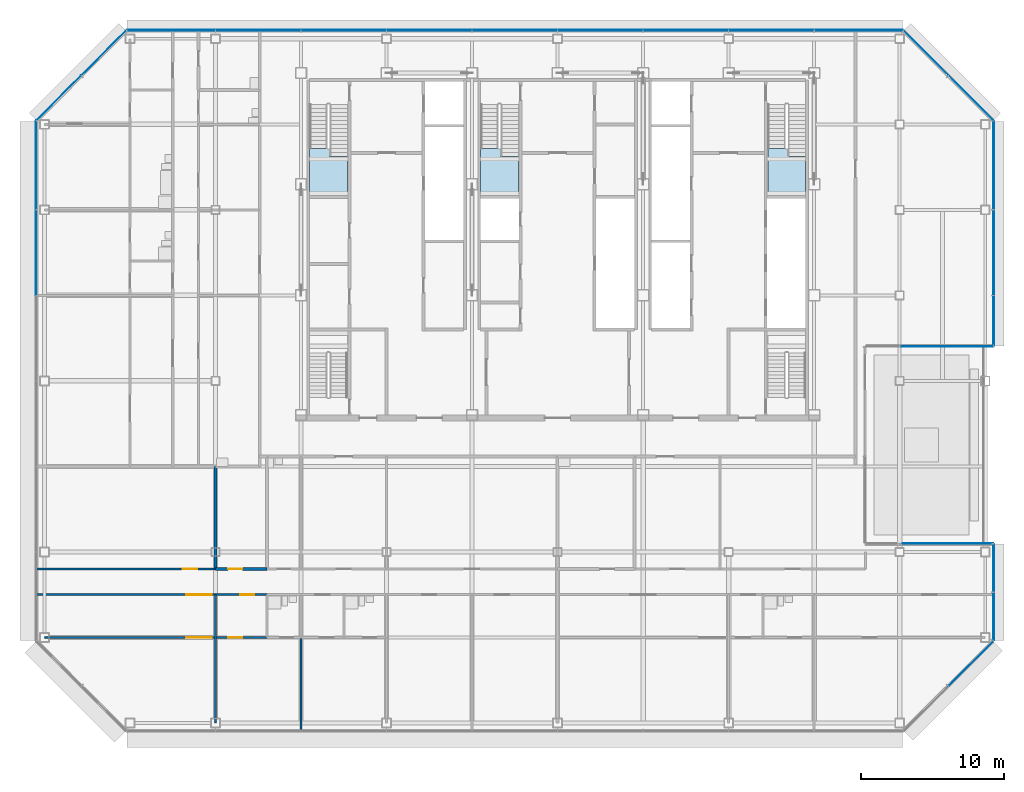
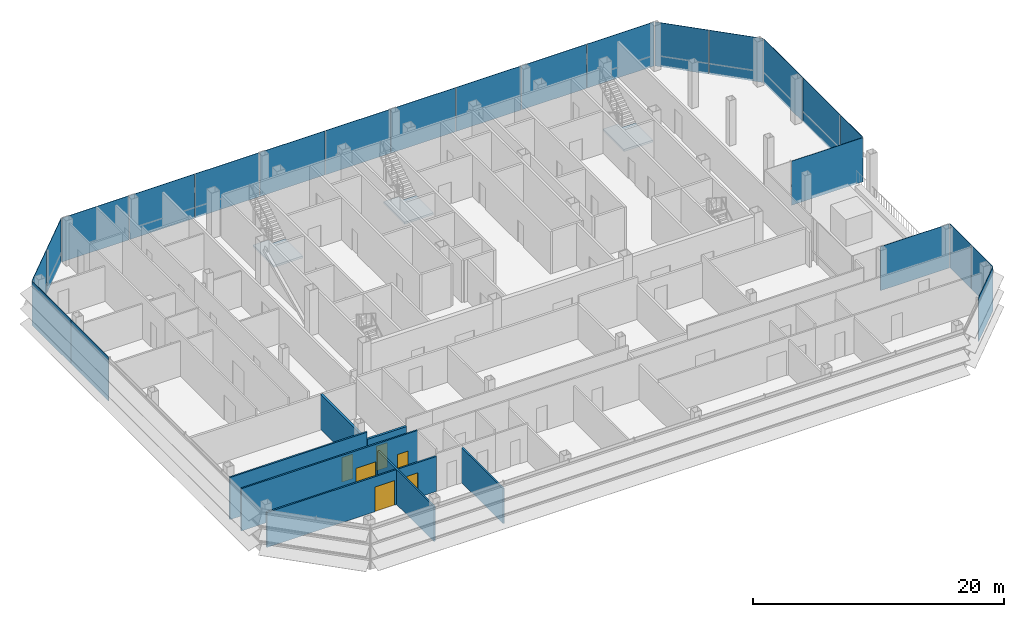
# One storey, part 21 of 30: 23 plates, 7 walls, 6 doors, 3 slabs, 6 openings, 12 elements without a shape of their own.
"""IFC4 building model written with IfcOpenShell, lengths in metres."""

from ifc_helpers import new_model, si_unit, direction, frame, frame_2d, origin, origin_2d, place, context, subcontext, project, spatial, polyline, rectangle, outline, extrude, material, layer, layer_set, type_object, element, fill, aggregate, save


model = new_model("IFC4")

# Units and contexts
model_context = context("Model", 3, precision=1e-05, world=origin(), true_north=direction((0.0, 1.0)))
body_context = subcontext(model_context, "Body", "Model", "MODEL_VIEW")
ifc_project = project(units=[si_unit("LENGTHUNIT", "METRE"), si_unit("AREAUNIT", "SQUARE_METRE"), si_unit("VOLUMEUNIT", "CUBIC_METRE"), si_unit("PLANEANGLEUNIT", "RADIAN"), si_unit("MASSUNIT", "GRAM", prefix="KILO")], contexts=[model_context])

# Site, building, storey
site_placement = place(None, origin())
site = spatial("IfcSite", under=ifc_project, at=site_placement, CompositionType="ELEMENT")
building_placement = place(site_placement, origin())
building = spatial("IfcBuilding", under=site, at=building_placement, Name="Sorahane Residences", CompositionType="ELEMENT")
storey_placement = place(building_placement, frame((0.0, 0.0, 229.800048828125)))
storey = spatial("IfcBuildingStorey", under=building, at=storey_placement, Name="L54", CompositionType="ELEMENT", Elevation=229.800048828125)

# Curtain wall, plates
ifc_material_1 = material(Name="Dark low-e glass and black anodised aluminium", Category="aluminium")
curtain_wall_type_1 = type_object("IfcCurtainWallType", Name="Curtain wall CW-1 Typical unitised wall", PredefinedType="NOTDEFINED", material=ifc_material_1)
curtain_wall_1_placement = place(storey_placement, origin())
curtain_wall_1 = element("IfcCurtainWall", 1, at=curtain_wall_1_placement, inside=storey, type_object=curtain_wall_type_1, Name="CW-1 curtain wall L54 E1", PredefinedType="NOTDEFINED")
ifc_material_2 = material(Name="Dark low-e glass with black ceramic frit", Category="glass")
ifc_layer_1 = layer(ifc_material_2, 0.0400390625)
ifc_layer_set_1 = layer_set([ifc_layer_1], Name="Curtain wall glass panel dark low-e with black frit spandrel band")
plate_type = type_object("IfcPlateType", Name="Curtain wall glass panel dark low-e with black frit spandrel band", PredefinedType="CURTAIN_PANEL", material=ifc_layer_set_1)
plate_1_placement = place(storey_placement, frame((54.60009765625, 7.47607421875, -0.18017578125), z_axis=(0.0, 0.0, 1.0), x_axis=(0.0, 1.0, 0.0)))
plate_1 = element("IfcPlate", 2, at=plate_1_placement, type_object=plate_type, Name="CW-1 glass panel L54 E1.1", PredefinedType="CURTAIN_PANEL", context=body_context, shape_type="SweptSolid", body=[
    extrude(rectangle(XDim=3.349365234375, YDim=0.0400390625, at=origin_2d()), origin(), (0.0, 0.0, 1.0), 4.280029296875),
])
plate_2_placement = place(storey_placement, frame((54.60009765625, 10.87548828125, -0.18017578125), z_axis=(0.0, 0.0, 1.0), x_axis=(0.0, 1.0, 0.0)))
plate_2 = element("IfcPlate", 3, at=plate_2_placement, type_object=plate_type, Name="CW-1 glass panel L54 E1.2", PredefinedType="CURTAIN_PANEL", context=body_context, shape_type="SweptSolid", body=[
    extrude(rectangle(XDim=3.349365234375, YDim=0.0400390625, at=origin_2d()), origin(), (0.0, 0.0, 1.0), 4.280029296875),
])
aggregate(curtain_wall_1, [plate_1, plate_2])

# Curtain wall, plate
curtain_wall_2_placement = place(storey_placement, origin())
curtain_wall_2 = element("IfcCurtainWall", 4, at=curtain_wall_2_placement, inside=storey, type_object=curtain_wall_type_1, Name="CW-1 curtain wall L54 N1", PredefinedType="NOTDEFINED")
plate_3_placement = place(storey_placement, frame((51.375, 12.60009765625, -0.18017578125), z_axis=(0.0, 0.0, 1.0), x_axis=(-1.0, 0.0, 0.0)))
plate_3 = element("IfcPlate", 5, at=plate_3_placement, type_object=plate_type, Name="CW-1 glass panel L54 N1.1", PredefinedType="CURTAIN_PANEL", context=body_context, shape_type="SweptSolid", body=[
    extrude(rectangle(XDim=6.35009765625, YDim=0.0400390625, at=origin_2d()), origin(), (0.0, 0.0, 1.0), 4.280029296875),
])
aggregate(curtain_wall_2, [plate_3])

curtain_wall_3_placement = place(storey_placement, origin())
curtain_wall_3 = element("IfcCurtainWall", 6, at=curtain_wall_3_placement, inside=storey, type_object=curtain_wall_type_1, Name="CW-1 curtain wall L54 S1", PredefinedType="NOTDEFINED")
plate_4_placement = place(storey_placement, frame((51.28759765625, 26.39990234375, -0.18017578125), z_axis=(0.0, 0.0, 1.0), x_axis=(1.0, 0.0, 0.0)))
plate_4 = element("IfcPlate", 7, at=plate_4_placement, type_object=plate_type, Name="CW-1 glass panel L54 S1.2", PredefinedType="CURTAIN_PANEL", context=body_context, shape_type="SweptSolid", body=[
    extrude(rectangle(XDim=6.52490234375, YDim=0.0400390625, at=origin_2d()), origin(), (0.0, 0.0, 1.0), 4.280029296875),
])
aggregate(curtain_wall_3, [plate_4])

# Curtain wall, plates
curtain_wall_4_placement = place(storey_placement, origin())
curtain_wall_4 = element("IfcCurtainWall", 8, at=curtain_wall_4_placement, inside=storey, type_object=curtain_wall_type_1, Name="CW-1 curtain wall L54 E3", PredefinedType="NOTDEFINED")
plate_5_placement = place(storey_placement, frame((54.60009765625, 28.21240234375, -0.18017578125), z_axis=(0.0, 0.0, 1.0), x_axis=(0.0, 1.0, 0.0)))
plate_5 = element("IfcPlate", 9, at=plate_5_placement, type_object=plate_type, Name="CW-1 glass panel L54 E3.1", PredefinedType="CURTAIN_PANEL", context=body_context, shape_type="SweptSolid", body=[
    extrude(rectangle(XDim=3.52490234375, YDim=0.0400390625, at=origin_2d()), origin(), (0.0, 0.0, 1.0), 4.280029296875),
])
plate_6_placement = place(storey_placement, frame((54.60009765625, 33.0, -0.18017578125), z_axis=(0.0, 0.0, 1.0), x_axis=(0.0, 1.0, 0.0)))
plate_6 = element("IfcPlate", 10, at=plate_6_placement, type_object=plate_type, Name="CW-1 glass panel L54 E3.2", PredefinedType="CURTAIN_PANEL", context=body_context, shape_type="SweptSolid", body=[
    extrude(rectangle(XDim=5.949951171875, YDim=0.0400390625, at=origin_2d()), origin(), (0.0, 0.0, 1.0), 4.280029296875),
])
plate_7_placement = place(storey_placement, frame((54.60009765625, 39.11181640625, -0.18017578125), z_axis=(0.0, 0.0, 1.0), x_axis=(0.0, 1.0, 0.0)))
plate_7 = element("IfcPlate", 11, at=plate_7_placement, type_object=plate_type, Name="CW-1 glass panel L54 E3.3", PredefinedType="CURTAIN_PANEL", context=body_context, shape_type="SweptSolid", body=[
    extrude(rectangle(XDim=6.173583984375, YDim=0.0400390625, at=origin_2d()), origin(), (0.0, 0.0, 1.0), 4.280029296875),
])
aggregate(curtain_wall_4, [plate_5, plate_6, plate_7])

ifc_material_3 = material(Name="Dark low-e glass and black anodised aluminium", Category="aluminium")
curtain_wall_type_2 = type_object("IfcCurtainWallType", Name="Curtain wall CW-2 Chamfer unitised wall", PredefinedType="NOTDEFINED", material=ifc_material_3)
curtain_wall_5_placement = place(storey_placement, origin())
curtain_wall_5 = element("IfcCurtainWall", 12, at=curtain_wall_5_placement, inside=storey, type_object=curtain_wall_type_2, Name="CW-2 curtain wall L54 NE1", PredefinedType="NOTDEFINED")
plate_8_placement = place(storey_placement, frame((53.003173828125, 43.84521484375, -0.18017578125), z_axis=(0.0, 0.0, 1.0), x_axis=(-0.707106781187, 0.707106781187, 0.0)))
plate_8 = element("IfcPlate", 13, at=plate_8_placement, type_object=plate_type, Name="CW-2 glass panel L54 NE1.1", PredefinedType="CURTAIN_PANEL", context=body_context, shape_type="SweptSolid", body=[
    extrude(rectangle(XDim=4.416259765625, YDim=0.0400390625, at=origin_2d()), origin(), (0.0, 0.0, 1.0), 4.280029296875),
])
plate_9_placement = place(storey_placement, frame((49.84521484375, 47.003173828125, -0.18017578125), z_axis=(0.0, 0.0, 1.0), x_axis=(-0.707106781187, 0.707106781187, 0.0)))
plate_9 = element("IfcPlate", 14, at=plate_9_placement, type_object=plate_type, Name="CW-2 glass panel L54 NE1.2", PredefinedType="CURTAIN_PANEL", context=body_context, shape_type="SweptSolid", body=[
    extrude(rectangle(XDim=4.416259765625, YDim=0.0400390625, at=origin_2d()), origin(), (0.0, 0.0, 1.0), 4.280029296875),
])
aggregate(curtain_wall_5, [plate_8, plate_9])

curtain_wall_6_placement = place(storey_placement, origin())
curtain_wall_6 = element("IfcCurtainWall", 15, at=curtain_wall_6_placement, inside=storey, type_object=curtain_wall_type_1, Name="CW-1 curtain wall L54 N2", PredefinedType="NOTDEFINED")
plate_10_placement = place(storey_placement, frame((45.11181640625, 48.60009765625, -0.18017578125), z_axis=(0.0, 0.0, 1.0), x_axis=(-1.0, 0.0, 0.0)))
plate_10 = element("IfcPlate", 16, at=plate_10_placement, type_object=plate_type, Name="CW-1 glass panel L54 N2.1", PredefinedType="CURTAIN_PANEL", context=body_context, shape_type="SweptSolid", body=[
    extrude(rectangle(XDim=6.173583984375, YDim=0.0400390625, at=origin_2d()), origin(), (0.0, 0.0, 1.0), 4.280029296875),
])
plate_11_placement = place(storey_placement, frame((39.0, 48.60009765625, -0.18017578125), z_axis=(0.0, 0.0, 1.0), x_axis=(-1.0, 0.0, 0.0)))
plate_11 = element("IfcPlate", 17, at=plate_11_placement, type_object=plate_type, Name="CW-1 glass panel L54 N2.2", PredefinedType="CURTAIN_PANEL", context=body_context, shape_type="SweptSolid", body=[
    extrude(rectangle(XDim=5.949951171875, YDim=0.0400390625, at=origin_2d()), origin(), (0.0, 0.0, 1.0), 4.280029296875),
])
plate_12_placement = place(storey_placement, frame((33.0, 48.60009765625, -0.18017578125), z_axis=(0.0, 0.0, 1.0), x_axis=(-1.0, 0.0, 0.0)))
plate_12 = element("IfcPlate", 18, at=plate_12_placement, type_object=plate_type, Name="CW-1 glass panel L54 N2.3", PredefinedType="CURTAIN_PANEL", context=body_context, shape_type="SweptSolid", body=[
    extrude(rectangle(XDim=5.949951171875, YDim=0.0400390625, at=origin_2d()), origin(), (0.0, 0.0, 1.0), 4.280029296875),
])
plate_13_placement = place(storey_placement, frame((27.0, 48.60009765625, -0.18017578125), z_axis=(0.0, 0.0, 1.0), x_axis=(-1.0, 0.0, 0.0)))
plate_13 = element("IfcPlate", 19, at=plate_13_placement, type_object=plate_type, Name="CW-1 glass panel L54 N2.4", PredefinedType="CURTAIN_PANEL", context=body_context, shape_type="SweptSolid", body=[
    extrude(rectangle(XDim=5.949951171875, YDim=0.0400390625, at=origin_2d()), origin(), (0.0, 0.0, 1.0), 4.280029296875),
])
plate_14_placement = place(storey_placement, frame((21.0, 48.60009765625, -0.18017578125), z_axis=(0.0, 0.0, 1.0), x_axis=(-1.0, 0.0, 0.0)))
plate_14 = element("IfcPlate", 20, at=plate_14_placement, type_object=plate_type, Name="CW-1 glass panel L54 N2.5", PredefinedType="CURTAIN_PANEL", context=body_context, shape_type="SweptSolid", body=[
    extrude(rectangle(XDim=5.949951171875, YDim=0.0400390625, at=origin_2d()), origin(), (0.0, 0.0, 1.0), 4.280029296875),
])
plate_15_placement = place(storey_placement, frame((15.0, 48.60009765625, -0.18017578125), z_axis=(0.0, 0.0, 1.0), x_axis=(-1.0, 0.0, 0.0)))
plate_15 = element("IfcPlate", 21, at=plate_15_placement, type_object=plate_type, Name="CW-1 glass panel L54 N2.6", PredefinedType="CURTAIN_PANEL", context=body_context, shape_type="SweptSolid", body=[
    extrude(rectangle(XDim=5.949951171875, YDim=0.0400390625, at=origin_2d()), origin(), (0.0, 0.0, 1.0), 4.280029296875),
])
plate_16_placement = place(storey_placement, frame((9.0, 48.60009765625, -0.18017578125), z_axis=(0.0, 0.0, 1.0), x_axis=(-1.0, 0.0, 0.0)))
plate_16 = element("IfcPlate", 22, at=plate_16_placement, type_object=plate_type, Name="CW-1 glass panel L54 N2.7", PredefinedType="CURTAIN_PANEL", context=body_context, shape_type="SweptSolid", body=[
    extrude(rectangle(XDim=5.949951171875, YDim=0.0400390625, at=origin_2d()), origin(), (0.0, 0.0, 1.0), 4.280029296875),
])
plate_17_placement = place(storey_placement, frame((3.0, 48.60009765625, -0.18017578125), z_axis=(0.0, 0.0, 1.0), x_axis=(-1.0, 0.0, 0.0)))
plate_17 = element("IfcPlate", 23, at=plate_17_placement, type_object=plate_type, Name="CW-1 glass panel L54 N2.8", PredefinedType="CURTAIN_PANEL", context=body_context, shape_type="SweptSolid", body=[
    extrude(rectangle(XDim=5.949951171875, YDim=0.0400390625, at=origin_2d()), origin(), (0.0, 0.0, 1.0), 4.280029296875),
])
plate_18_placement = place(storey_placement, frame((-3.11181640625, 48.60009765625, -0.18017578125), z_axis=(0.0, 0.0, 1.0), x_axis=(-1.0, 0.0, 0.0)))
plate_18 = element("IfcPlate", 24, at=plate_18_placement, type_object=plate_type, Name="CW-1 glass panel L54 N2.9", PredefinedType="CURTAIN_PANEL", context=body_context, shape_type="SweptSolid", body=[
    extrude(rectangle(XDim=6.173583984375, YDim=0.0400390625, at=origin_2d()), origin(), (0.0, 0.0, 1.0), 4.280029296875),
])
aggregate(curtain_wall_6, [plate_10, plate_11, plate_12, plate_13, plate_14, plate_15, plate_16, plate_17, plate_18])

curtain_wall_7_placement = place(storey_placement, origin())
curtain_wall_7 = element("IfcCurtainWall", 25, at=curtain_wall_7_placement, inside=storey, type_object=curtain_wall_type_2, Name="CW-2 curtain wall L54 NW1", PredefinedType="NOTDEFINED")
plate_19_placement = place(storey_placement, frame((-7.84521484375, 47.003173828125, -0.18017578125), z_axis=(0.0, 0.0, 1.0), x_axis=(-0.707106781187, -0.707106781187, 0.0)))
plate_19 = element("IfcPlate", 26, at=plate_19_placement, type_object=plate_type, Name="CW-2 glass panel L54 NW1.1", PredefinedType="CURTAIN_PANEL", context=body_context, shape_type="SweptSolid", body=[
    extrude(rectangle(XDim=4.416259765625, YDim=0.0400390625, at=origin_2d()), origin(), (0.0, 0.0, 1.0), 4.280029296875),
])
plate_20_placement = place(storey_placement, frame((-11.003173828125, 43.84521484375, -0.18017578125), z_axis=(0.0, 0.0, 1.0), x_axis=(-0.707106781187, -0.707106781187, 0.0)))
plate_20 = element("IfcPlate", 27, at=plate_20_placement, type_object=plate_type, Name="CW-2 glass panel L54 NW1.2", PredefinedType="CURTAIN_PANEL", context=body_context, shape_type="SweptSolid", body=[
    extrude(rectangle(XDim=4.416259765625, YDim=0.0400390625, at=origin_2d()), origin(), (0.0, 0.0, 1.0), 4.280029296875),
])
aggregate(curtain_wall_7, [plate_19, plate_20])

curtain_wall_8_placement = place(storey_placement, origin())
curtain_wall_8 = element("IfcCurtainWall", 28, at=curtain_wall_8_placement, inside=storey, type_object=curtain_wall_type_1, Name="CW-1 curtain wall L54 W1", PredefinedType="NOTDEFINED")
plate_21_placement = place(storey_placement, frame((-12.60009765625, 39.11181640625, -0.18017578125), z_axis=(0.0, 0.0, 1.0), x_axis=(0.0, -1.0, 0.0)))
plate_21 = element("IfcPlate", 29, at=plate_21_placement, type_object=plate_type, Name="CW-1 glass panel L54 W1.1", PredefinedType="CURTAIN_PANEL", context=body_context, shape_type="SweptSolid", body=[
    extrude(rectangle(XDim=6.173583984375, YDim=0.0400390625, at=origin_2d()), origin(), (0.0, 0.0, 1.0), 4.280029296875),
])
plate_22_placement = place(storey_placement, frame((-12.60009765625, 33.0, -0.18017578125), z_axis=(0.0, 0.0, 1.0), x_axis=(0.0, -1.0, 0.0)))
plate_22 = element("IfcPlate", 30, at=plate_22_placement, type_object=plate_type, Name="CW-1 glass panel L54 W1.2", PredefinedType="CURTAIN_PANEL", context=body_context, shape_type="SweptSolid", body=[
    extrude(rectangle(XDim=5.949951171875, YDim=0.0400390625, at=origin_2d()), origin(), (0.0, 0.0, 1.0), 4.280029296875),
])
aggregate(curtain_wall_8, [plate_21, plate_22])

# Curtain wall, plate
curtain_wall_9_placement = place(storey_placement, origin())
curtain_wall_9 = element("IfcCurtainWall", 31, at=curtain_wall_9_placement, inside=storey, type_object=curtain_wall_type_2, Name="CW-2 curtain wall L54 SE1", PredefinedType="NOTDEFINED")
plate_23_placement = place(storey_placement, frame((53.003173828125, 4.15478515625, -0.18017578125), z_axis=(0.0, 0.0, 1.0), x_axis=(0.707106781187, 0.707106781187, 0.0)))
plate_23 = element("IfcPlate", 32, at=plate_23_placement, type_object=plate_type, Name="CW-2 glass panel L54 SE1.2", PredefinedType="CURTAIN_PANEL", context=body_context, shape_type="SweptSolid", body=[
    extrude(rectangle(XDim=4.416259765625, YDim=0.0400390625, at=origin_2d()), origin(), (0.0, 0.0, 1.0), 4.280029296875),
])
aggregate(curtain_wall_9, [plate_23])

# Stair, slab
ifc_material_4 = material(Name="Concrete C40", Category="concrete")
stair_type = type_object("IfcStairType", Name="Dog-leg stair 1250 Concrete C40", PredefinedType="HALF_TURN_STAIR", material=ifc_material_4)
stair_1_placement = place(storey_placement, origin())
stair_1 = element("IfcStair", 33, at=stair_1_placement, inside=storey, type_object=stair_type, Name="L54 Stair S1", PredefinedType="HALF_TURN_STAIR")
ifc_material_5 = material(Name="Concrete C40", Category="concrete")
ifc_layer_2 = layer(ifc_material_5, 0.199951171875)
ifc_layer_set_2 = layer_set([ifc_layer_2], Name="Stair landing 200 Concrete C40")
slab_type = type_object("IfcSlabType", Name="Stair landing 200 Concrete C40", PredefinedType="LANDING", material=ifc_layer_set_2)
slab_1_placement = place(storey_placement, frame((0.0, 0.0, 1.830810546875)))
slab_1 = element("IfcSlab", 34, at=slab_1_placement, type_object=slab_type, Name="S1 landing 1", PredefinedType="LANDING", context=body_context, shape_type="SweptSolid", body=[
    extrude(outline(polyline([(6.60009765625, 40.320068359375), (6.60009765625, 37.0), (9.25, 37.0), (9.25, 39.760009765625), (8.0, 39.760009765625), (8.0, 40.320068359375), (6.60009765625, 40.320068359375)])), origin(), (0.0, 0.0, 1.0), 0.199951171875),
])
aggregate(stair_1, [slab_1])

stair_2_placement = place(storey_placement, origin())
stair_2 = element("IfcStair", 35, at=stair_2_placement, inside=storey, type_object=stair_type, Name="L54 Stair S2", PredefinedType="HALF_TURN_STAIR")
slab_2_placement = place(storey_placement, frame((0.0, 0.0, 1.830810546875)))
slab_2 = element("IfcSlab", 36, at=slab_2_placement, type_object=slab_type, Name="S2 landing 1", PredefinedType="LANDING", context=body_context, shape_type="SweptSolid", body=[
    extrude(outline(polyline([(38.75, 40.320068359375), (38.75, 37.0), (41.39990234375, 37.0), (41.39990234375, 39.760009765625), (40.14990234375, 39.760009765625), (40.14990234375, 40.320068359375), (38.75, 40.320068359375)])), origin(), (0.0, 0.0, 1.0), 0.199951171875),
])
aggregate(stair_2, [slab_2])

stair_3_placement = place(storey_placement, origin())
stair_3 = element("IfcStair", 37, at=stair_3_placement, inside=storey, type_object=stair_type, Name="L54 Stair S3", PredefinedType="HALF_TURN_STAIR")
slab_3_placement = place(storey_placement, frame((0.0, 0.0, 1.830810546875)))
slab_3 = element("IfcSlab", 38, at=slab_3_placement, type_object=slab_type, Name="S3 landing 1", PredefinedType="LANDING", context=body_context, shape_type="SweptSolid", body=[
    extrude(outline(polyline([(18.60009765625, 40.320068359375), (18.60009765625, 37.0), (21.25, 37.0), (21.25, 39.760009765625), (20.0, 39.760009765625), (20.0, 40.320068359375), (18.60009765625, 40.320068359375)])), origin(), (0.0, 0.0, 1.0), 0.199951171875),
])
aggregate(stair_3, [slab_3])

# Wall
ifc_material_6 = material(Name="Concrete blockwork C20 wall", Category="masonry")
ifc_layer_3 = layer(ifc_material_6, 0.199951171875)
ifc_layer_set_3 = layer_set([ifc_layer_3], Name="Kitchen wall 200 EI 180")
wall_type_1 = type_object("IfcWallType", Name="Kitchen wall 200 EI 180", PredefinedType="SOLIDWALL", material=ifc_layer_set_3)
wall_1_placement = place(storey_placement, frame((0.0, 10.800048828125, 0.0), z_axis=(0.0, 0.0, 1.0), x_axis=(0.0, 1.0, 0.0)))
element("IfcWall", 39, at=wall_1_placement, inside=storey, type_object=wall_type_1, Name="L54 kitchen wall", PredefinedType="SOLIDWALL", context=body_context, shape_type="SweptSolid", body=[
    extrude(rectangle(XDim=7.199951171875, YDim=0.199951171875, at=frame_2d((3.60009765625, 0.0))), origin(), (0.0, 0.0, 1.0), 3.39990234375),
])

# Wall, opening, door
wall_2_placement = place(storey_placement, frame((0.0, 10.800048828125, 0.0), z_axis=(0.0, 0.0, 1.0), x_axis=(1.0, 0.0, 0.0)))
wall_2 = element("IfcWall", 40, at=wall_2_placement, inside=storey, type_object=wall_type_1, Name="L54 kitchen wall", PredefinedType="SOLIDWALL", context=body_context, shape_type="SweptSolid", body=[
    extrude(rectangle(XDim=3.60009765625, YDim=0.199951171875, at=frame_2d((1.800048828125, 0.0))), origin(), (0.0, 0.0, 1.0), 3.39990234375),
])
opening_1_placement = place(wall_2_placement, frame((0.8798828125, 0.0, 0.0)))
opening_1 = element("IfcOpeningElement", 41, at=opening_1_placement, cuts=wall_2, Name="Opening L54-03", PredefinedType="OPENING", context=body_context, shape_type="SweptSolid", body=[
    extrude(rectangle(XDim=1.0, YDim=2.39990234375, at=frame_2d((0.5, 1.199951171875))), frame((0.0, 0.10986328125, 0.0), z_axis=(0.0, -1.0, 0.0), x_axis=(1.0, 0.0, 0.0)), (0.0, 0.0, 1.0), 0.219970703125),
])
ifc_material_7 = material(Name="Steel", Category="steel")
door_type_1 = type_object("IfcDoorType", Name="Kitchen door 1000x2400 FD120", OperationType="NOTDEFINED", PredefinedType="DOOR", material=ifc_material_7)
door_1_placement = place(opening_1_placement, origin())
door_1 = element("IfcDoor", 42, at=door_1_placement, inside=storey, type_object=door_type_1, Name="Kitchen door L54-03", OperationType="SINGLE_SWING_RIGHT", OverallHeight=2.39990234375, OverallWidth=1.0, PredefinedType="DOOR", context=body_context, shape_type="SweptSolid", body=[
    extrude(rectangle(XDim=1.0, YDim=2.39990234375, at=frame_2d((0.5, 1.199951171875))), frame((0.0, 0.02490234375, 0.0), z_axis=(0.0, -1.0, 0.0), x_axis=(1.0, 0.0, 0.0)), (0.0, 0.0, 1.0), 0.050048828125),
])
fill(opening_1, door_1)

# Walls
ifc_material_8 = material(Name="Gypsum board partition on steel studs", Category="steel")
ifc_layer_4 = layer(ifc_material_8, 0.14990234375)
ifc_layer_set_4 = layer_set([ifc_layer_4], Name="Partition 150 EI 90")
wall_type_2 = type_object("IfcWallType", Name="Partition 150 EI 90", PredefinedType="PARTITIONING", material=ifc_layer_set_4)
wall_3_placement = place(storey_placement, frame((0.0, 0.0, 0.0), z_axis=(0.0, 0.0, 1.0), x_axis=(0.0, 1.0, 0.0)))
element("IfcWall", 43, at=wall_3_placement, inside=storey, type_object=wall_type_2, Name="L54 partition", PredefinedType="PARTITIONING", context=body_context, shape_type="SweptSolid", body=[
    extrude(rectangle(XDim=9.0, YDim=0.14990234375, at=frame_2d((4.5, 0.0))), origin(), (0.0, 0.0, 1.0), 3.39990234375),
])
wall_4_placement = place(storey_placement, frame((6.0, -0.60009765625, 0.0), z_axis=(0.0, 0.0, 1.0), x_axis=(0.0, 1.0, 0.0)))
element("IfcWall", 44, at=wall_4_placement, inside=storey, type_object=wall_type_2, Name="L54 partition", PredefinedType="PARTITIONING", context=body_context, shape_type="SweptSolid", body=[
    extrude(rectangle(XDim=6.60009765625, YDim=0.14990234375, at=frame_2d((3.300048828125, 0.0))), origin(), (0.0, 0.0, 1.0), 3.39990234375),
])

# Wall, opening, door
wall_5_placement = place(storey_placement, frame((-12.60009765625, 10.800048828125, 0.0), z_axis=(0.0, 0.0, 1.0), x_axis=(1.0, 0.0, 0.0)))
wall_5 = element("IfcWall", 45, at=wall_5_placement, inside=storey, type_object=wall_type_2, Name="L54 partition", PredefinedType="PARTITIONING", context=body_context, shape_type="SweptSolid", body=[
    extrude(rectangle(XDim=12.60009765625, YDim=0.14990234375, at=frame_2d((6.300048828125, 0.0))), origin(), (0.0, 0.0, 1.0), 4.099853515625),
])
opening_2_placement = place(wall_5_placement, frame((10.300048828125, 0.0, 0.0)))
opening_2 = element("IfcOpeningElement", 46, at=opening_2_placement, cuts=wall_5, Name="Opening L54-02", PredefinedType="OPENING", context=body_context, shape_type="SweptSolid", body=[
    extrude(rectangle(XDim=1.0, YDim=2.39990234375, at=frame_2d((0.5, 1.199951171875))), frame((0.0, 0.0849609375, 0.0), z_axis=(0.0, -1.0, 0.0), x_axis=(1.0, 0.0, 0.0)), (0.0, 0.0, 1.0), 0.169921875),
])
ifc_material_9 = material(Name="Timber veneered fire door", Category="wood")
door_type_2 = type_object("IfcDoorType", Name="Room door 1000x2400 FD30", OperationType="NOTDEFINED", PredefinedType="DOOR", material=ifc_material_9)
door_2_placement = place(opening_2_placement, origin())
door_2 = element("IfcDoor", 47, at=door_2_placement, inside=storey, type_object=door_type_2, Name="Room door L54-02", OperationType="SINGLE_SWING_RIGHT", OverallHeight=2.39990234375, OverallWidth=1.0, PredefinedType="DOOR", context=body_context, shape_type="SweptSolid", body=[
    extrude(rectangle(XDim=1.0, YDim=2.39990234375, at=frame_2d((0.5, 1.199951171875))), frame((0.0, 0.02490234375, 0.0), z_axis=(0.0, -1.0, 0.0), x_axis=(1.0, 0.0, 0.0)), (0.0, 0.0, 1.0), 0.050048828125),
])
fill(opening_2, door_2)

# Wall, openings, doors
wall_6_placement = place(storey_placement, frame((-12.0, 6.0, 0.0), z_axis=(0.0, 0.0, 1.0), x_axis=(1.0, 0.0, 0.0)))
wall_6 = element("IfcWall", 48, at=wall_6_placement, inside=storey, type_object=wall_type_2, Name="L54 partition", PredefinedType="PARTITIONING", context=body_context, shape_type="SweptSolid", body=[
    extrude(rectangle(XDim=15.60009765625, YDim=0.14990234375, at=frame_2d((7.800048828125, 0.0))), origin(), (0.0, 0.0, 1.0), 3.39990234375),
])
opening_3_placement = place(wall_6_placement, frame((9.949951171875, 0.0, 0.0)))
opening_3 = element("IfcOpeningElement", 49, at=opening_3_placement, cuts=wall_6, Name="Opening L54-11", PredefinedType="OPENING", context=body_context, shape_type="SweptSolid", body=[
    extrude(rectangle(XDim=1.800048828125, YDim=2.39990234375, at=frame_2d((0.89990234375, 1.199951171875))), frame((0.0, 0.0849609375, 0.0), z_axis=(0.0, -1.0, 0.0), x_axis=(1.0, 0.0, 0.0)), (0.0, 0.0, 1.0), 0.169921875),
])
opening_4_placement = place(wall_6_placement, frame((12.8798828125, 0.0, 0.0)))
opening_4 = element("IfcOpeningElement", 50, at=opening_4_placement, cuts=wall_6, Name="Opening L54-12", PredefinedType="OPENING", context=body_context, shape_type="SweptSolid", body=[
    extrude(rectangle(XDim=1.0, YDim=2.39990234375, at=frame_2d((0.5, 1.199951171875))), frame((0.0, 0.0849609375, 0.0), z_axis=(0.0, -1.0, 0.0), x_axis=(1.0, 0.0, 0.0)), (0.0, 0.0, 1.0), 0.169921875),
])
ifc_material_10 = material(Name="Timber veneered fire door", Category="wood")
door_type_3 = type_object("IfcDoorType", Name="Double door 1800x2400 FD30", OperationType="NOTDEFINED", PredefinedType="DOOR", material=ifc_material_10)
door_3_placement = place(opening_3_placement, frame((1.800048828125, 0.0, 0.0), z_axis=(0.0, 0.0, 1.0), x_axis=(-1.0, 0.0, 0.0)))
door_3 = element("IfcDoor", 51, at=door_3_placement, inside=storey, type_object=door_type_3, Name="Double door L54-11", OperationType="SINGLE_SWING_LEFT", OverallHeight=2.39990234375, OverallWidth=1.800048828125, PredefinedType="DOOR", context=body_context, shape_type="SweptSolid", body=[
    extrude(rectangle(XDim=1.800048828125, YDim=2.39990234375, at=frame_2d((0.89990234375, 1.199951171875))), frame((0.0, 0.02490234375, 0.0), z_axis=(0.0, -1.0, 0.0), x_axis=(1.0, 0.0, 0.0)), (0.0, 0.0, 1.0), 0.050048828125),
])
fill(opening_3, door_3)
door_4_placement = place(opening_4_placement, frame((1.0, 0.0, 0.0), z_axis=(0.0, 0.0, 1.0), x_axis=(-1.0, 0.0, 0.0)))
door_4 = element("IfcDoor", 52, at=door_4_placement, inside=storey, type_object=door_type_2, Name="Room door L54-12", OperationType="SINGLE_SWING_RIGHT", OverallHeight=2.39990234375, OverallWidth=1.0, PredefinedType="DOOR", context=body_context, shape_type="SweptSolid", body=[
    extrude(rectangle(XDim=1.0, YDim=2.39990234375, at=frame_2d((0.5, 1.199951171875))), frame((0.0, 0.02490234375, 0.0), z_axis=(0.0, -1.0, 0.0), x_axis=(1.0, 0.0, 0.0)), (0.0, 0.0, 1.0), 0.050048828125),
])
fill(opening_4, door_4)

wall_7_placement = place(storey_placement, frame((-12.60009765625, 9.0, 0.0), z_axis=(0.0, 0.0, 1.0), x_axis=(1.0, 0.0, 0.0)))
wall_7 = element("IfcWall", 53, at=wall_7_placement, inside=storey, type_object=wall_type_2, Name="L54 partition", PredefinedType="PARTITIONING", context=body_context, shape_type="SweptSolid", body=[
    extrude(rectangle(XDim=16.2001953125, YDim=0.14990234375, at=frame_2d((8.10009765625, 0.0))), origin(), (0.0, 0.0, 1.0), 4.099853515625),
])
opening_5_placement = place(wall_7_placement, frame((10.550048828125, 0.0, 0.0)))
opening_5 = element("IfcOpeningElement", 54, at=opening_5_placement, cuts=wall_7, Name="Opening L54-06", PredefinedType="OPENING", context=body_context, shape_type="SweptSolid", body=[
    extrude(rectangle(XDim=1.800048828125, YDim=2.39990234375, at=frame_2d((0.89990234375, 1.199951171875))), frame((0.0, 0.0849609375, 0.0), z_axis=(0.0, -1.0, 0.0), x_axis=(1.0, 0.0, 0.0)), (0.0, 0.0, 1.0), 0.169921875),
])
opening_6_placement = place(wall_7_placement, frame((14.320068359375, 0.0, 0.0)))
opening_6 = element("IfcOpeningElement", 55, at=opening_6_placement, cuts=wall_7, Name="Opening L54-07", PredefinedType="OPENING", context=body_context, shape_type="SweptSolid", body=[
    extrude(rectangle(XDim=1.0, YDim=2.39990234375, at=frame_2d((0.5, 1.199951171875))), frame((0.0, 0.0849609375, 0.0), z_axis=(0.0, -1.0, 0.0), x_axis=(1.0, 0.0, 0.0)), (0.0, 0.0, 1.0), 0.169921875),
])
door_5_placement = place(opening_5_placement, frame((1.800048828125, 0.0, 0.0), z_axis=(0.0, 0.0, 1.0), x_axis=(-1.0, 0.0, 0.0)))
door_5 = element("IfcDoor", 56, at=door_5_placement, inside=storey, type_object=door_type_3, Name="Double door L54-06", OperationType="SINGLE_SWING_RIGHT", OverallHeight=2.39990234375, OverallWidth=1.800048828125, PredefinedType="DOOR", context=body_context, shape_type="SweptSolid", body=[
    extrude(rectangle(XDim=1.800048828125, YDim=2.39990234375, at=frame_2d((0.89990234375, 1.199951171875))), frame((0.0, 0.02490234375, 0.0), z_axis=(0.0, -1.0, 0.0), x_axis=(1.0, 0.0, 0.0)), (0.0, 0.0, 1.0), 0.050048828125),
])
fill(opening_5, door_5)
door_6_placement = place(opening_6_placement, frame((1.0, 0.0, 0.0), z_axis=(0.0, 0.0, 1.0), x_axis=(-1.0, 0.0, 0.0)))
door_6 = element("IfcDoor", 57, at=door_6_placement, inside=storey, type_object=door_type_2, Name="Room door L54-07", OperationType="SINGLE_SWING_LEFT", OverallHeight=2.39990234375, OverallWidth=1.0, PredefinedType="DOOR", context=body_context, shape_type="SweptSolid", body=[
    extrude(rectangle(XDim=1.0, YDim=2.39990234375, at=frame_2d((0.5, 1.199951171875))), frame((0.0, 0.02490234375, 0.0), z_axis=(0.0, -1.0, 0.0), x_axis=(1.0, 0.0, 0.0)), (0.0, 0.0, 1.0), 0.050048828125),
])
fill(opening_6, door_6)

save(model, "model.ifc")
